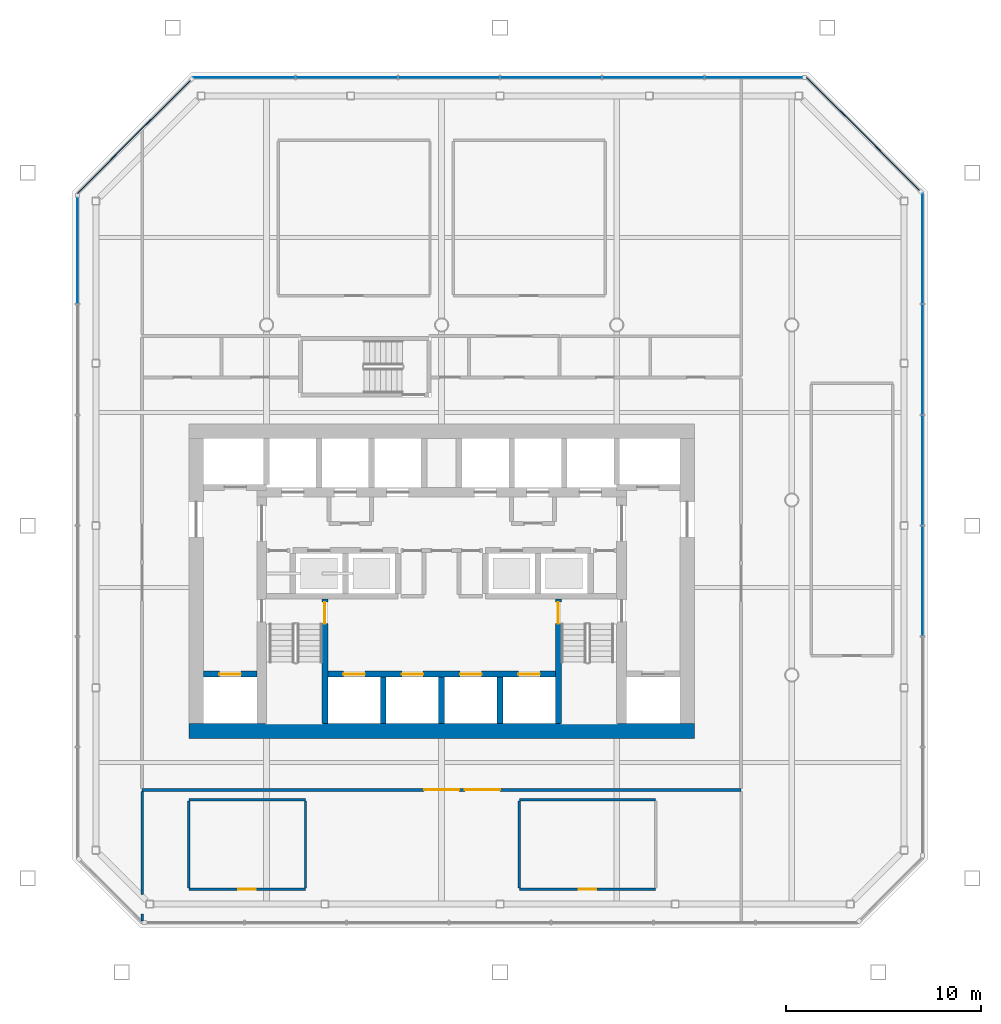
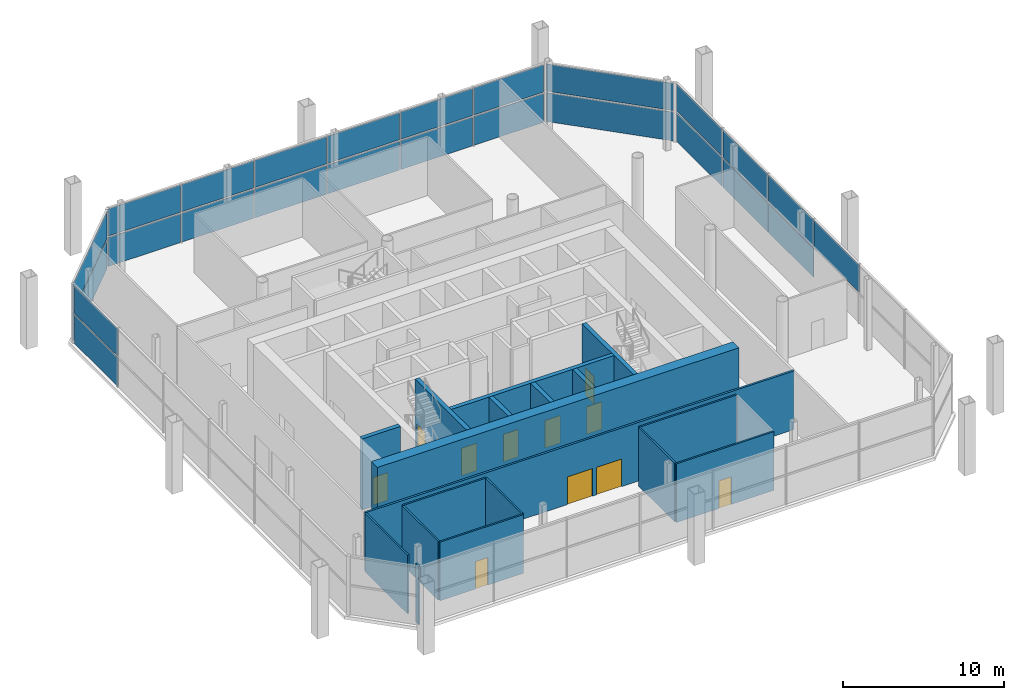
# One storey, part 7 of 12: 25 plates, 18 walls, 11 doors, 11 openings, 5 elements without a shape of their own.
"""IFC4 building model written with IfcOpenShell, lengths in metres."""

from ifc_helpers import new_model, si_unit, direction, frame, frame_2d, origin, origin_2d, place, context, subcontext, project, spatial, rectangle, extrude, material, layer, layer_set, type_object, element, fill, aggregate, save


model = new_model("IFC4")

# Units and contexts
model_context = context("Model", 3, precision=1e-05, world=origin(), true_north=direction((0.0, 1.0)))
body_context = subcontext(model_context, "Body", "Model", "MODEL_VIEW")
ifc_project = project(units=[si_unit("LENGTHUNIT", "METRE"), si_unit("AREAUNIT", "SQUARE_METRE"), si_unit("VOLUMEUNIT", "CUBIC_METRE"), si_unit("PLANEANGLEUNIT", "RADIAN"), si_unit("MASSUNIT", "GRAM", prefix="KILO")], contexts=[model_context])

# Site, building, storey
site_placement = place(None, origin())
site = spatial("IfcSite", under=ifc_project, at=site_placement, CompositionType="ELEMENT")
building_placement = place(site_placement, origin())
building = spatial("IfcBuilding", under=site, at=building_placement, Name="Tskaro Facet Tower", CompositionType="ELEMENT")
storey_placement = place(building_placement, frame((0.0, 0.0, 162.300048828125)))
storey = spatial("IfcBuildingStorey", under=building, at=storey_placement, Name="L40", CompositionType="ELEMENT", Elevation=162.300048828125)

# Curtain wall, plates
ifc_material_1 = material(Name="Bronze anodised aluminium 6063-T6", Category="aluminium")
curtain_wall_type = type_object("IfcCurtainWallType", Name="Bronze sky lobby curtain wall (FW4)", PredefinedType="NOTDEFINED", material=ifc_material_1)
curtain_wall_1_placement = place(storey_placement, origin())
curtain_wall_1 = element("IfcCurtainWall", 1, at=curtain_wall_1_placement, inside=storey, type_object=curtain_wall_type, Name="FW4 east facet L40", PredefinedType="NOTDEFINED")
ifc_material_2 = material(Name="Clear low-iron glass", Category="glass")
ifc_layer_1 = layer(ifc_material_2, 0.0380859375, Name="Clear low-iron glass")
ifc_layer_set_1 = layer_set([ifc_layer_1], Name="Clear low-iron glass")
plate_type = type_object("IfcPlateType", Name="FW4 bronze-tinted unit glazing 38", PredefinedType="CURTAIN_PANEL", material=ifc_layer_set_1)
plate_1_placement = place(storey_placement, frame((24.72412109375, -4.16162109375, 2.304931640625), z_axis=(0.0, 0.0, 1.0), x_axis=(0.0, 1.0, 0.0)))
plate_1 = element("IfcPlate", 2, at=plate_1_placement, type_object=plate_type, Name="FW4 east glazing 3.2", PredefinedType="CURTAIN_PANEL", context=body_context, shape_type="SweptSolid", body=[
    extrude(rectangle(XDim=5.612060546875, YDim=0.0380859375, at=origin_2d()), origin(), (0.0, 0.0, 1.0), 2.06494140625),
])
plate_2_placement = place(storey_placement, frame((24.72412109375, 1.530517578125, 0.0), z_axis=(0.0, 0.0, 1.0), x_axis=(0.0, 1.0, 0.0)))
plate_2 = element("IfcPlate", 3, at=plate_2_placement, type_object=plate_type, Name="FW4 east glazing 4.1", PredefinedType="CURTAIN_PANEL", context=body_context, shape_type="SweptSolid", body=[
    extrude(rectangle(XDim=5.612060546875, YDim=0.0380859375, at=origin_2d()), origin(), (0.0, 0.0, 1.0), 2.18505859375),
])
plate_3_placement = place(storey_placement, frame((24.72412109375, 1.530517578125, 2.304931640625), z_axis=(0.0, 0.0, 1.0), x_axis=(0.0, 1.0, 0.0)))
plate_3 = element("IfcPlate", 4, at=plate_3_placement, type_object=plate_type, Name="FW4 east glazing 4.2", PredefinedType="CURTAIN_PANEL", context=body_context, shape_type="SweptSolid", body=[
    extrude(rectangle(XDim=5.612060546875, YDim=0.0380859375, at=origin_2d()), origin(), (0.0, 0.0, 1.0), 2.06494140625),
])
plate_4_placement = place(storey_placement, frame((24.72412109375, 7.22265625, 0.0), z_axis=(0.0, 0.0, 1.0), x_axis=(0.0, 1.0, 0.0)))
plate_4 = element("IfcPlate", 5, at=plate_4_placement, type_object=plate_type, Name="FW4 east glazing 5.1", PredefinedType="CURTAIN_PANEL", context=body_context, shape_type="SweptSolid", body=[
    extrude(rectangle(XDim=5.612060546875, YDim=0.0380859375, at=origin_2d()), origin(), (0.0, 0.0, 1.0), 2.18505859375),
])
plate_5_placement = place(storey_placement, frame((24.72412109375, 7.22265625, 2.304931640625), z_axis=(0.0, 0.0, 1.0), x_axis=(0.0, 1.0, 0.0)))
plate_5 = element("IfcPlate", 6, at=plate_5_placement, type_object=plate_type, Name="FW4 east glazing 5.2", PredefinedType="CURTAIN_PANEL", context=body_context, shape_type="SweptSolid", body=[
    extrude(rectangle(XDim=5.612060546875, YDim=0.0380859375, at=origin_2d()), origin(), (0.0, 0.0, 1.0), 2.06494140625),
])
plate_6_placement = place(storey_placement, frame((24.72412109375, 12.934814453125, 0.0), z_axis=(0.0, 0.0, 1.0), x_axis=(0.0, 1.0, 0.0)))
plate_6 = element("IfcPlate", 7, at=plate_6_placement, type_object=plate_type, Name="FW4 east glazing 6.1", PredefinedType="CURTAIN_PANEL", context=body_context, shape_type="SweptSolid", body=[
    extrude(rectangle(XDim=5.652099609375, YDim=0.0380859375, at=origin_2d()), origin(), (0.0, 0.0, 1.0), 2.18505859375),
])
plate_7_placement = place(storey_placement, frame((24.72412109375, 12.934814453125, 2.304931640625), z_axis=(0.0, 0.0, 1.0), x_axis=(0.0, 1.0, 0.0)))
plate_7 = element("IfcPlate", 8, at=plate_7_placement, type_object=plate_type, Name="FW4 east glazing 6.2", PredefinedType="CURTAIN_PANEL", context=body_context, shape_type="SweptSolid", body=[
    extrude(rectangle(XDim=5.652099609375, YDim=0.0380859375, at=origin_2d()), origin(), (0.0, 0.0, 1.0), 2.06494140625),
])
aggregate(curtain_wall_1, [plate_1, plate_2, plate_3, plate_4, plate_5, plate_6, plate_7])

curtain_wall_2_placement = place(storey_placement, origin())
curtain_wall_2 = element("IfcCurtainWall", 9, at=curtain_wall_2_placement, inside=storey, type_object=curtain_wall_type, Name="FW4 north-east facet L40", PredefinedType="NOTDEFINED")
plate_8_placement = place(storey_placement, frame((21.664794921875, 18.8203125, 0.0), z_axis=(0.0, 0.0, 1.0), x_axis=(-0.707106781187, 0.707106781187, 0.0)))
plate_8 = element("IfcPlate", 10, at=plate_8_placement, type_object=plate_type, Name="FW4 north-east glazing 1.1", PredefinedType="CURTAIN_PANEL", context=body_context, shape_type="SweptSolid", body=[
    extrude(rectangle(XDim=8.212890625, YDim=0.0380859375, at=origin_2d()), origin(), (0.0, 0.0, 1.0), 2.18505859375),
])
plate_9_placement = place(storey_placement, frame((21.664794921875, 18.8203125, 2.304931640625), z_axis=(0.0, 0.0, 1.0), x_axis=(-0.707106781187, 0.707106781187, 0.0)))
plate_9 = element("IfcPlate", 11, at=plate_9_placement, type_object=plate_type, Name="FW4 north-east glazing 1.2", PredefinedType="CURTAIN_PANEL", context=body_context, shape_type="SweptSolid", body=[
    extrude(rectangle(XDim=8.212890625, YDim=0.0380859375, at=origin_2d()), origin(), (0.0, 0.0, 1.0), 2.06494140625),
])
aggregate(curtain_wall_2, [plate_8, plate_9])

curtain_wall_3_placement = place(storey_placement, origin())
curtain_wall_3 = element("IfcCurtainWall", 12, at=curtain_wall_3_placement, inside=storey, type_object=curtain_wall_type, Name="FW4 north facet L40", PredefinedType="NOTDEFINED")
plate_10_placement = place(storey_placement, frame((16.044189453125, 21.72412109375, 0.0), z_axis=(0.0, 0.0, 1.0), x_axis=(-1.0, 0.0, 0.0)))
plate_10 = element("IfcPlate", 13, at=plate_10_placement, type_object=plate_type, Name="FW4 north glazing 1.1", PredefinedType="CURTAIN_PANEL", context=body_context, shape_type="SweptSolid", body=[
    extrude(rectangle(XDim=4.99365234375, YDim=0.0380859375, at=origin_2d()), origin(), (0.0, 0.0, 1.0), 2.18505859375),
])
plate_11_placement = place(storey_placement, frame((16.044189453125, 21.72412109375, 2.304931640625), z_axis=(0.0, 0.0, 1.0), x_axis=(-1.0, 0.0, 0.0)))
plate_11 = element("IfcPlate", 14, at=plate_11_placement, type_object=plate_type, Name="FW4 north glazing 1.2", PredefinedType="CURTAIN_PANEL", context=body_context, shape_type="SweptSolid", body=[
    extrude(rectangle(XDim=4.99365234375, YDim=0.0380859375, at=origin_2d()), origin(), (0.0, 0.0, 1.0), 2.06494140625),
])
plate_12_placement = place(storey_placement, frame((10.880615234375, 21.72412109375, 0.0), z_axis=(0.0, 0.0, 1.0), x_axis=(-1.0, 0.0, 0.0)))
plate_12 = element("IfcPlate", 15, at=plate_12_placement, type_object=plate_type, Name="FW4 north glazing 2.1", PredefinedType="CURTAIN_PANEL", context=body_context, shape_type="SweptSolid", body=[
    extrude(rectangle(XDim=5.173583984375, YDim=0.0380859375, at=origin_2d()), origin(), (0.0, 0.0, 1.0), 2.18505859375),
])
plate_13_placement = place(storey_placement, frame((10.880615234375, 21.72412109375, 2.304931640625), z_axis=(0.0, 0.0, 1.0), x_axis=(-1.0, 0.0, 0.0)))
plate_13 = element("IfcPlate", 16, at=plate_13_placement, type_object=plate_type, Name="FW4 north glazing 2.2", PredefinedType="CURTAIN_PANEL", context=body_context, shape_type="SweptSolid", body=[
    extrude(rectangle(XDim=5.173583984375, YDim=0.0380859375, at=origin_2d()), origin(), (0.0, 0.0, 1.0), 2.06494140625),
])
plate_14_placement = place(storey_placement, frame((5.626953125, 21.72412109375, 0.0), z_axis=(0.0, 0.0, 1.0), x_axis=(-1.0, 0.0, 0.0)))
plate_14 = element("IfcPlate", 17, at=plate_14_placement, type_object=plate_type, Name="FW4 north glazing 3.1", PredefinedType="CURTAIN_PANEL", context=body_context, shape_type="SweptSolid", body=[
    extrude(rectangle(XDim=5.173583984375, YDim=0.0380859375, at=origin_2d()), origin(), (0.0, 0.0, 1.0), 2.18505859375),
])
plate_15_placement = place(storey_placement, frame((5.626953125, 21.72412109375, 2.304931640625), z_axis=(0.0, 0.0, 1.0), x_axis=(-1.0, 0.0, 0.0)))
plate_15 = element("IfcPlate", 18, at=plate_15_placement, type_object=plate_type, Name="FW4 north glazing 3.2", PredefinedType="CURTAIN_PANEL", context=body_context, shape_type="SweptSolid", body=[
    extrude(rectangle(XDim=5.173583984375, YDim=0.0380859375, at=origin_2d()), origin(), (0.0, 0.0, 1.0), 2.06494140625),
])
plate_16_placement = place(storey_placement, frame((0.373046875, 21.72412109375, 0.0), z_axis=(0.0, 0.0, 1.0), x_axis=(-1.0, 0.0, 0.0)))
plate_16 = element("IfcPlate", 19, at=plate_16_placement, type_object=plate_type, Name="FW4 north glazing 4.1", PredefinedType="CURTAIN_PANEL", context=body_context, shape_type="SweptSolid", body=[
    extrude(rectangle(XDim=5.173583984375, YDim=0.0380859375, at=origin_2d()), origin(), (0.0, 0.0, 1.0), 2.18505859375),
])
plate_17_placement = place(storey_placement, frame((0.373046875, 21.72412109375, 2.304931640625), z_axis=(0.0, 0.0, 1.0), x_axis=(-1.0, 0.0, 0.0)))
plate_17 = element("IfcPlate", 20, at=plate_17_placement, type_object=plate_type, Name="FW4 north glazing 4.2", PredefinedType="CURTAIN_PANEL", context=body_context, shape_type="SweptSolid", body=[
    extrude(rectangle(XDim=5.173583984375, YDim=0.0380859375, at=origin_2d()), origin(), (0.0, 0.0, 1.0), 2.06494140625),
])
plate_18_placement = place(storey_placement, frame((-4.880615234375, 21.72412109375, 0.0), z_axis=(0.0, 0.0, 1.0), x_axis=(-1.0, 0.0, 0.0)))
plate_18 = element("IfcPlate", 21, at=plate_18_placement, type_object=plate_type, Name="FW4 north glazing 5.1", PredefinedType="CURTAIN_PANEL", context=body_context, shape_type="SweptSolid", body=[
    extrude(rectangle(XDim=5.173583984375, YDim=0.0380859375, at=origin_2d()), origin(), (0.0, 0.0, 1.0), 2.18505859375),
])
plate_19_placement = place(storey_placement, frame((-4.880615234375, 21.72412109375, 2.304931640625), z_axis=(0.0, 0.0, 1.0), x_axis=(-1.0, 0.0, 0.0)))
plate_19 = element("IfcPlate", 22, at=plate_19_placement, type_object=plate_type, Name="FW4 north glazing 5.2", PredefinedType="CURTAIN_PANEL", context=body_context, shape_type="SweptSolid", body=[
    extrude(rectangle(XDim=5.173583984375, YDim=0.0380859375, at=origin_2d()), origin(), (0.0, 0.0, 1.0), 2.06494140625),
])
plate_20_placement = place(storey_placement, frame((-10.154052734375, 21.72412109375, 0.0), z_axis=(0.0, 0.0, 1.0), x_axis=(-1.0, 0.0, 0.0)))
plate_20 = element("IfcPlate", 23, at=plate_20_placement, type_object=plate_type, Name="FW4 north glazing 6.1", PredefinedType="CURTAIN_PANEL", context=body_context, shape_type="SweptSolid", body=[
    extrude(rectangle(XDim=5.213623046875, YDim=0.0380859375, at=origin_2d()), origin(), (0.0, 0.0, 1.0), 2.18505859375),
])
plate_21_placement = place(storey_placement, frame((-10.154052734375, 21.72412109375, 2.304931640625), z_axis=(0.0, 0.0, 1.0), x_axis=(-1.0, 0.0, 0.0)))
plate_21 = element("IfcPlate", 24, at=plate_21_placement, type_object=plate_type, Name="FW4 north glazing 6.2", PredefinedType="CURTAIN_PANEL", context=body_context, shape_type="SweptSolid", body=[
    extrude(rectangle(XDim=5.213623046875, YDim=0.0380859375, at=origin_2d()), origin(), (0.0, 0.0, 1.0), 2.06494140625),
])
aggregate(curtain_wall_3, [plate_10, plate_11, plate_12, plate_13, plate_14, plate_15, plate_16, plate_17, plate_18, plate_19, plate_20, plate_21])

curtain_wall_4_placement = place(storey_placement, origin())
curtain_wall_4 = element("IfcCurtainWall", 25, at=curtain_wall_4_placement, inside=storey, type_object=curtain_wall_type, Name="FW4 north-west facet L40", PredefinedType="NOTDEFINED")
plate_22_placement = place(storey_placement, frame((-15.8203125, 18.664794921875, 0.0), z_axis=(0.0, 0.0, 1.0), x_axis=(-0.707106781187, -0.707106781187, 0.0)))
plate_22 = element("IfcPlate", 26, at=plate_22_placement, type_object=plate_type, Name="FW4 north-west glazing 1.1", PredefinedType="CURTAIN_PANEL", context=body_context, shape_type="SweptSolid", body=[
    extrude(rectangle(XDim=8.212890625, YDim=0.0380859375, at=origin_2d()), origin(), (0.0, 0.0, 1.0), 2.18505859375),
])
plate_23_placement = place(storey_placement, frame((-15.8203125, 18.664794921875, 2.304931640625), z_axis=(0.0, 0.0, 1.0), x_axis=(-0.707106781187, -0.707106781187, 0.0)))
plate_23 = element("IfcPlate", 27, at=plate_23_placement, type_object=plate_type, Name="FW4 north-west glazing 1.2", PredefinedType="CURTAIN_PANEL", context=body_context, shape_type="SweptSolid", body=[
    extrude(rectangle(XDim=8.212890625, YDim=0.0380859375, at=origin_2d()), origin(), (0.0, 0.0, 1.0), 2.06494140625),
])
aggregate(curtain_wall_4, [plate_22, plate_23])

curtain_wall_5_placement = place(storey_placement, origin())
curtain_wall_5 = element("IfcCurtainWall", 28, at=curtain_wall_5_placement, inside=storey, type_object=curtain_wall_type, Name="FW4 west facet L40", PredefinedType="NOTDEFINED")
plate_24_placement = place(storey_placement, frame((-18.72412109375, 12.824951171875, 0.0), z_axis=(0.0, 0.0, 1.0), x_axis=(0.0, -1.0, 0.0)))
plate_24 = element("IfcPlate", 29, at=plate_24_placement, type_object=plate_type, Name="FW4 west glazing 1.1", PredefinedType="CURTAIN_PANEL", context=body_context, shape_type="SweptSolid", body=[
    extrude(rectangle(XDim=5.43212890625, YDim=0.0380859375, at=origin_2d()), origin(), (0.0, 0.0, 1.0), 2.18505859375),
])
plate_25_placement = place(storey_placement, frame((-18.72412109375, 12.824951171875, 2.304931640625), z_axis=(0.0, 0.0, 1.0), x_axis=(0.0, -1.0, 0.0)))
plate_25 = element("IfcPlate", 30, at=plate_25_placement, type_object=plate_type, Name="FW4 west glazing 1.2", PredefinedType="CURTAIN_PANEL", context=body_context, shape_type="SweptSolid", body=[
    extrude(rectangle(XDim=5.43212890625, YDim=0.0380859375, at=origin_2d()), origin(), (0.0, 0.0, 1.0), 2.06494140625),
])
aggregate(curtain_wall_5, [plate_24, plate_25])

# Wall, opening, door
ifc_material_3 = material(Name="Concrete C60/75", Category="concrete")
ifc_layer_2 = layer(ifc_material_3, 0.300048828125, Name="Concrete C60/75")
ifc_layer_set_2 = layer_set([ifc_layer_2], Name="Concrete C60/75")
wall_type_1 = type_object("IfcWallType", Name="CORE-SHAFT", PredefinedType="SHEAR", material=ifc_layer_set_2)
wall_1_placement = place(storey_placement, frame((-12.25, -8.949951171875, 0.0), z_axis=(0.0, 0.0, 1.0), x_axis=(1.0, 0.0, 0.0)))
wall_1 = element("IfcWall", 31, at=wall_1_placement, inside=storey, type_object=wall_type_1, Name="Shaft wall W006", PredefinedType="SHEAR", context=body_context, shape_type="SweptSolid", body=[
    extrude(rectangle(XDim=2.75, YDim=0.300048828125, at=frame_2d((1.375, 0.0))), origin(), (0.0, 0.0, 1.0), 5.39990234375),
])
opening_1_placement = place(wall_1_placement, frame((0.824951171875, 0.0, 0.0)))
opening_1 = element("IfcOpeningElement", 32, at=opening_1_placement, cuts=wall_1, Name="Opening LD-SHWS", PredefinedType="OPENING", context=body_context, shape_type="SweptSolid", body=[
    extrude(rectangle(XDim=1.10009765625, YDim=2.10009765625, at=frame_2d((0.550048828125, 1.050048828125))), frame((0.0, 0.159912109375, 0.0), z_axis=(0.0, -1.0, 0.0), x_axis=(1.0, 0.0, 0.0)), (0.0, 0.0, 1.0), 0.320068359375),
])
ifc_material_4 = material(Name="Stainless steel", Category="steel")
door_type_1 = type_object("IfcDoorType", Name="D-LANDING", OperationType="NOTDEFINED", PredefinedType="DOOR", material=ifc_material_4)
door_1_placement = place(opening_1_placement, origin())
door_1 = element("IfcDoor", 33, at=door_1_placement, inside=storey, type_object=door_type_1, Name="Landing door shuttle W1", OperationType="DOUBLE_DOOR_SLIDING", OverallHeight=2.10009765625, OverallWidth=1.10009765625, PredefinedType="DOOR", context=body_context, shape_type="SweptSolid", body=[
    extrude(rectangle(XDim=1.10009765625, YDim=2.10009765625, at=frame_2d((0.550048828125, 1.050048828125))), frame((0.0, 0.02490234375, 0.0), z_axis=(0.0, -1.0, 0.0), x_axis=(1.0, 0.0, 0.0)), (0.0, 0.0, 1.0), 0.050048828125),
])
fill(opening_1, door_1)

# Wall, openings, doors
wall_2_placement = place(storey_placement, frame((-5.85009765625, -8.949951171875, 0.0), z_axis=(0.0, 0.0, 1.0), x_axis=(1.0, 0.0, 0.0)))
wall_2 = element("IfcWall", 34, at=wall_2_placement, inside=storey, type_object=wall_type_1, Name="Shaft wall W007", PredefinedType="SHEAR", context=body_context, shape_type="SweptSolid", body=[
    extrude(rectangle(XDim=11.7001953125, YDim=0.300048828125, at=frame_2d((5.85009765625, 0.0))), origin(), (0.0, 0.0, 1.0), 5.39990234375),
])
opening_2_placement = place(wall_2_placement, frame((0.800048828125, 0.0, 0.0)))
opening_2 = element("IfcOpeningElement", 35, at=opening_2_placement, cuts=wall_2, Name="Opening LD-FF1", PredefinedType="OPENING", context=body_context, shape_type="SweptSolid", body=[
    extrude(rectangle(XDim=1.10009765625, YDim=2.10009765625, at=frame_2d((0.550048828125, 1.050048828125))), frame((0.0, 0.159912109375, 0.0), z_axis=(0.0, -1.0, 0.0), x_axis=(1.0, 0.0, 0.0)), (0.0, 0.0, 1.0), 0.320068359375),
])
opening_3_placement = place(wall_2_placement, frame((3.800048828125, 0.0, 0.0)))
opening_3 = element("IfcOpeningElement", 36, at=opening_3_placement, cuts=wall_2, Name="Opening LD-FF2", PredefinedType="OPENING", context=body_context, shape_type="SweptSolid", body=[
    extrude(rectangle(XDim=1.10009765625, YDim=2.10009765625, at=frame_2d((0.550048828125, 1.050048828125))), frame((0.0, 0.159912109375, 0.0), z_axis=(0.0, -1.0, 0.0), x_axis=(1.0, 0.0, 0.0)), (0.0, 0.0, 1.0), 0.320068359375),
])
opening_4_placement = place(wall_2_placement, frame((6.800048828125, 0.0, 0.0)))
opening_4 = element("IfcOpeningElement", 37, at=opening_4_placement, cuts=wall_2, Name="Opening LD-SV1", PredefinedType="OPENING", context=body_context, shape_type="SweptSolid", body=[
    extrude(rectangle(XDim=1.10009765625, YDim=2.10009765625, at=frame_2d((0.550048828125, 1.050048828125))), frame((0.0, 0.159912109375, 0.0), z_axis=(0.0, -1.0, 0.0), x_axis=(1.0, 0.0, 0.0)), (0.0, 0.0, 1.0), 0.320068359375),
])
opening_5_placement = place(wall_2_placement, frame((9.800048828125, 0.0, 0.0)))
opening_5 = element("IfcOpeningElement", 38, at=opening_5_placement, cuts=wall_2, Name="Opening LD-SV2", PredefinedType="OPENING", context=body_context, shape_type="SweptSolid", body=[
    extrude(rectangle(XDim=1.10009765625, YDim=2.10009765625, at=frame_2d((0.550048828125, 1.050048828125))), frame((0.0, 0.159912109375, 0.0), z_axis=(0.0, -1.0, 0.0), x_axis=(1.0, 0.0, 0.0)), (0.0, 0.0, 1.0), 0.320068359375),
])
door_2_placement = place(opening_2_placement, origin())
door_2 = element("IfcDoor", 39, at=door_2_placement, inside=storey, type_object=door_type_1, Name="Landing door FF1", OperationType="DOUBLE_DOOR_SLIDING", OverallHeight=2.10009765625, OverallWidth=1.10009765625, PredefinedType="DOOR", context=body_context, shape_type="SweptSolid", body=[
    extrude(rectangle(XDim=1.10009765625, YDim=2.10009765625, at=frame_2d((0.550048828125, 1.050048828125))), frame((0.0, 0.02490234375, 0.0), z_axis=(0.0, -1.0, 0.0), x_axis=(1.0, 0.0, 0.0)), (0.0, 0.0, 1.0), 0.050048828125),
])
fill(opening_2, door_2)
door_3_placement = place(opening_3_placement, origin())
door_3 = element("IfcDoor", 40, at=door_3_placement, inside=storey, type_object=door_type_1, Name="Landing door FF2", OperationType="DOUBLE_DOOR_SLIDING", OverallHeight=2.10009765625, OverallWidth=1.10009765625, PredefinedType="DOOR", context=body_context, shape_type="SweptSolid", body=[
    extrude(rectangle(XDim=1.10009765625, YDim=2.10009765625, at=frame_2d((0.550048828125, 1.050048828125))), frame((0.0, 0.02490234375, 0.0), z_axis=(0.0, -1.0, 0.0), x_axis=(1.0, 0.0, 0.0)), (0.0, 0.0, 1.0), 0.050048828125),
])
fill(opening_3, door_3)
door_4_placement = place(opening_4_placement, origin())
door_4 = element("IfcDoor", 41, at=door_4_placement, inside=storey, type_object=door_type_1, Name="Landing door SV1", OperationType="DOUBLE_DOOR_SLIDING", OverallHeight=2.10009765625, OverallWidth=1.10009765625, PredefinedType="DOOR", context=body_context, shape_type="SweptSolid", body=[
    extrude(rectangle(XDim=1.10009765625, YDim=2.10009765625, at=frame_2d((0.550048828125, 1.050048828125))), frame((0.0, 0.02490234375, 0.0), z_axis=(0.0, -1.0, 0.0), x_axis=(1.0, 0.0, 0.0)), (0.0, 0.0, 1.0), 0.050048828125),
])
fill(opening_4, door_4)
door_5_placement = place(opening_5_placement, origin())
door_5 = element("IfcDoor", 42, at=door_5_placement, inside=storey, type_object=door_type_1, Name="Landing door SV2", OperationType="DOUBLE_DOOR_SLIDING", OverallHeight=2.10009765625, OverallWidth=1.10009765625, PredefinedType="DOOR", context=body_context, shape_type="SweptSolid", body=[
    extrude(rectangle(XDim=1.10009765625, YDim=2.10009765625, at=frame_2d((0.550048828125, 1.050048828125))), frame((0.0, 0.02490234375, 0.0), z_axis=(0.0, -1.0, 0.0), x_axis=(1.0, 0.0, 0.0)), (0.0, 0.0, 1.0), 0.050048828125),
])
fill(opening_5, door_5)

# Wall, opening, door
wall_3_placement = place(storey_placement, frame((-6.0, -11.5, 0.0), z_axis=(0.0, 0.0, 1.0), x_axis=(0.0, 1.0, 0.0)))
wall_3 = element("IfcWall", 43, at=wall_3_placement, inside=storey, type_object=wall_type_1, Name="Shaft wall W047", PredefinedType="SHEAR", context=body_context, shape_type="SweptSolid", body=[
    extrude(rectangle(XDim=6.39990234375, YDim=0.300048828125, at=frame_2d((3.199951171875, 0.0))), origin(), (0.0, 0.0, 1.0), 5.39990234375),
])
opening_6_placement = place(wall_3_placement, frame((5.14990234375, 0.0, 0.0)))
opening_6 = element("IfcOpeningElement", 44, at=opening_6_placement, cuts=wall_3, Name="Opening ST-1-D1", PredefinedType="OPENING", context=body_context, shape_type="SweptSolid", body=[
    extrude(rectangle(XDim=1.10009765625, YDim=2.10009765625, at=frame_2d((0.550048828125, 1.050048828125))), frame((0.0, 0.159912109375, 0.0), z_axis=(0.0, -1.0, 0.0), x_axis=(1.0, 0.0, 0.0)), (0.0, 0.0, 1.0), 0.320068359375),
])
ifc_material_5 = material(Name="Steel", Category="steel")
door_type_2 = type_object("IfcDoorType", Name="D-STAIR", OperationType="NOTDEFINED", PredefinedType="DOOR", material=ifc_material_5)
door_6_placement = place(opening_6_placement, origin())
door_6 = element("IfcDoor", 45, at=door_6_placement, inside=storey, type_object=door_type_2, Name="Stair door 1", OperationType="SINGLE_SWING_LEFT", OverallHeight=2.10009765625, OverallWidth=1.10009765625, PredefinedType="DOOR", context=body_context, shape_type="SweptSolid", body=[
    extrude(rectangle(XDim=1.10009765625, YDim=2.10009765625, at=frame_2d((0.550048828125, 1.050048828125))), frame((0.0, 0.02490234375, 0.0), z_axis=(0.0, -1.0, 0.0), x_axis=(1.0, 0.0, 0.0)), (0.0, 0.0, 1.0), 0.050048828125),
])
fill(opening_6, door_6)

# Walls
for number, where, z_axis, x_axis, name in (
    (46, (-3.0, -11.5, 0.0), (0.0, 0.0, 1.0), (0.0, 1.0, 0.0), "Shaft wall W052"),
    (47, (0.0, -11.5, 0.0), (0.0, 0.0, 1.0), (0.0, 1.0, 0.0), "Shaft wall W058"),
    (48, (3.0, -11.5, 0.0), (0.0, 0.0, 1.0), (0.0, 1.0, 0.0), "Shaft wall W064"),
):
    element("IfcWall", number, at=place(storey_placement, frame(where, z_axis=z_axis, x_axis=x_axis)), inside=storey, type_object=wall_type_1, Name=name, PredefinedType="SHEAR", context=body_context, shape_type="SweptSolid", body=[
        extrude(rectangle(XDim=2.39990234375, YDim=0.300048828125, at=frame_2d((1.199951171875, 0.0))), origin(), (0.0, 0.0, 1.0), 5.39990234375),
    ])

# Wall, opening, door
wall_4_placement = place(storey_placement, frame((6.0, -5.10009765625, 0.0), z_axis=(0.0, 0.0, 1.0), x_axis=(0.0, -1.0, 0.0)))
wall_4 = element("IfcWall", 49, at=wall_4_placement, inside=storey, type_object=wall_type_1, Name="Shaft wall W070", PredefinedType="SHEAR", context=body_context, shape_type="SweptSolid", body=[
    extrude(rectangle(XDim=6.39990234375, YDim=0.300048828125, at=frame_2d((3.199951171875, 0.0))), origin(), (0.0, 0.0, 1.0), 5.39990234375),
])
opening_7_placement = place(wall_4_placement, frame((0.14990234375, 0.0, 0.0)))
opening_7 = element("IfcOpeningElement", 50, at=opening_7_placement, cuts=wall_4, Name="Opening ST-2-D1", PredefinedType="OPENING", context=body_context, shape_type="SweptSolid", body=[
    extrude(rectangle(XDim=1.10009765625, YDim=2.10009765625, at=frame_2d((0.550048828125, 1.050048828125))), frame((0.0, 0.159912109375, 0.0), z_axis=(0.0, -1.0, 0.0), x_axis=(1.0, 0.0, 0.0)), (0.0, 0.0, 1.0), 0.320068359375),
])
door_7_placement = place(opening_7_placement, origin())
door_7 = element("IfcDoor", 51, at=door_7_placement, inside=storey, type_object=door_type_2, Name="Stair door 2", OperationType="SINGLE_SWING_RIGHT", OverallHeight=2.10009765625, OverallWidth=1.10009765625, PredefinedType="DOOR", context=body_context, shape_type="SweptSolid", body=[
    extrude(rectangle(XDim=1.10009765625, YDim=2.10009765625, at=frame_2d((0.550048828125, 1.050048828125))), frame((0.0, 0.02490234375, 0.0), z_axis=(0.0, -1.0, 0.0), x_axis=(1.0, 0.0, 0.0)), (0.0, 0.0, 1.0), 0.050048828125),
])
fill(opening_7, door_7)

# Wall
ifc_material_6 = material(Name="Concrete C50/60", Category="concrete")
ifc_layer_3 = layer(ifc_material_6, 0.75, Name="Concrete C50/60")
ifc_layer_set_3 = layer_set([ifc_layer_3], Name="Concrete C50/60")
wall_type_2 = type_object("IfcWallType", Name="Core wall 750", PredefinedType="SHEAR", material=ifc_layer_set_3)
wall_5_placement = place(storey_placement, frame((-13.0, -11.875, 0.0), z_axis=(0.0, 0.0, 1.0), x_axis=(1.0, 0.0, 0.0)))
element("IfcWall", 52, at=wall_5_placement, inside=storey, type_object=wall_type_2, Name="Core wall CW-Z2S", PredefinedType="SHEAR", context=body_context, shape_type="SweptSolid", body=[
    extrude(rectangle(XDim=26.0, YDim=0.75, at=frame_2d((13.0, 0.0))), origin(), (0.0, 0.0, 1.0), 5.39990234375),
])

# Wall, opening, door
ifc_material_7 = material(Name="Gypsum board on steel studs", Category="steel")
ifc_layer_4 = layer(ifc_material_7, 0.125, Name="Gypsum board on steel studs")
ifc_layer_set_4 = layer_set([ifc_layer_4], Name="Gypsum board on steel studs")
wall_type_3 = type_object("IfcWallType", Name="PART", PredefinedType="PARTITIONING", material=ifc_layer_set_4)
wall_6_placement = place(storey_placement, frame((-13.0, -20.0, 0.0), z_axis=(0.0, 0.0, 1.0), x_axis=(1.0, 0.0, 0.0)))
wall_6 = element("IfcWall", 53, at=wall_6_placement, inside=storey, type_object=wall_type_3, Name="Partition W001", PredefinedType="PARTITIONING", context=body_context, shape_type="SweptSolid", body=[
    extrude(rectangle(XDim=6.0, YDim=0.125, at=frame_2d((3.0, 0.0))), origin(), (0.0, 0.0, 1.0), 4.4599609375),
])
opening_8_placement = place(wall_6_placement, frame((2.550048828125, 0.0, 0.0)))
opening_8 = element("IfcOpeningElement", 54, at=opening_8_placement, cuts=wall_6, Name="Opening S40-D01", PredefinedType="OPENING", context=body_context, shape_type="SweptSolid", body=[
    extrude(rectangle(XDim=0.89990234375, YDim=2.10009765625, at=frame_2d((0.449951171875, 1.050048828125))), frame((0.0, 0.072509765625, 0.0), z_axis=(0.0, -1.0, 0.0), x_axis=(1.0, 0.0, 0.0)), (0.0, 0.0, 1.0), 0.14501953125),
])
ifc_material_8 = material(Name="Timber", Category="wood")
door_type_3 = type_object("IfcDoorType", Name="D-ROOM", OperationType="NOTDEFINED", PredefinedType="DOOR", material=ifc_material_8)
door_8_placement = place(opening_8_placement, origin())
door_8 = element("IfcDoor", 55, at=door_8_placement, inside=storey, type_object=door_type_3, Name="Door S40-D01", OperationType="SINGLE_SWING_LEFT", OverallHeight=2.10009765625, OverallWidth=0.89990234375, PredefinedType="DOOR", context=body_context, shape_type="SweptSolid", body=[
    extrude(rectangle(XDim=0.89990234375, YDim=2.10009765625, at=frame_2d((0.449951171875, 1.050048828125))), frame((0.0, 0.02490234375, 0.0), z_axis=(0.0, -1.0, 0.0), x_axis=(1.0, 0.0, 0.0)), (0.0, 0.0, 1.0), 0.050048828125),
])
fill(opening_8, door_8)

wall_7_placement = place(storey_placement, frame((4.0, -20.0, 0.0), z_axis=(0.0, 0.0, 1.0), x_axis=(1.0, 0.0, 0.0)))
wall_7 = element("IfcWall", 56, at=wall_7_placement, inside=storey, type_object=wall_type_3, Name="Partition W002", PredefinedType="PARTITIONING", context=body_context, shape_type="SweptSolid", body=[
    extrude(rectangle(XDim=7.0, YDim=0.125, at=frame_2d((3.5, 0.0))), origin(), (0.0, 0.0, 1.0), 4.4599609375),
])
opening_9_placement = place(wall_7_placement, frame((3.050048828125, 0.0, 0.0)))
opening_9 = element("IfcOpeningElement", 57, at=opening_9_placement, cuts=wall_7, Name="Opening S40-D02", PredefinedType="OPENING", context=body_context, shape_type="SweptSolid", body=[
    extrude(rectangle(XDim=0.89990234375, YDim=2.10009765625, at=frame_2d((0.449951171875, 1.050048828125))), frame((0.0, 0.072509765625, 0.0), z_axis=(0.0, -1.0, 0.0), x_axis=(1.0, 0.0, 0.0)), (0.0, 0.0, 1.0), 0.14501953125),
])
door_9_placement = place(opening_9_placement, origin())
door_9 = element("IfcDoor", 58, at=door_9_placement, inside=storey, type_object=door_type_3, Name="Door S40-D02", OperationType="SINGLE_SWING_LEFT", OverallHeight=2.10009765625, OverallWidth=0.89990234375, PredefinedType="DOOR", context=body_context, shape_type="SweptSolid", body=[
    extrude(rectangle(XDim=0.89990234375, YDim=2.10009765625, at=frame_2d((0.449951171875, 1.050048828125))), frame((0.0, 0.02490234375, 0.0), z_axis=(0.0, -1.0, 0.0), x_axis=(1.0, 0.0, 0.0)), (0.0, 0.0, 1.0), 0.050048828125),
])
fill(opening_9, door_9)

# Walls
wall_8_placement = place(storey_placement, frame((-13.0, -15.39990234375, 0.0), z_axis=(0.0, 0.0, 1.0), x_axis=(1.0, 0.0, 0.0)))
element("IfcWall", 59, at=wall_8_placement, inside=storey, type_object=wall_type_3, Name="Partition W003", PredefinedType="PARTITIONING", context=body_context, shape_type="SweptSolid", body=[
    extrude(rectangle(XDim=6.0, YDim=0.125, at=frame_2d((3.0, 0.0))), origin(), (0.0, 0.0, 1.0), 4.4599609375),
])
wall_9_placement = place(storey_placement, frame((4.0, -15.39990234375, 0.0), z_axis=(0.0, 0.0, 1.0), x_axis=(1.0, 0.0, 0.0)))
element("IfcWall", 60, at=wall_9_placement, inside=storey, type_object=wall_type_3, Name="Partition W004", PredefinedType="PARTITIONING", context=body_context, shape_type="SweptSolid", body=[
    extrude(rectangle(XDim=7.0, YDim=0.125, at=frame_2d((3.5, 0.0))), origin(), (0.0, 0.0, 1.0), 4.4599609375),
])
wall_10_placement = place(storey_placement, frame((-15.39990234375, -21.64599609375, 0.0), z_axis=(0.0, 0.0, 1.0), x_axis=(0.0, 1.0, 0.0)))
element("IfcWall", 61, at=wall_10_placement, inside=storey, type_object=wall_type_3, Name="Partition W035", PredefinedType="PARTITIONING", context=body_context, shape_type="SweptSolid", body=[
    extrude(rectangle(XDim=0.3720703125, YDim=0.125, at=frame_2d((0.18603515625, 0.0))), origin(), (0.0, 0.0, 1.0), 4.4599609375),
])
wall_11_placement = place(storey_placement, frame((-15.39990234375, -20.27392578125, 0.0), z_axis=(0.0, 0.0, 1.0), x_axis=(0.0, 1.0, 0.0)))
element("IfcWall", 62, at=wall_11_placement, inside=storey, type_object=wall_type_3, Name="Partition W036", PredefinedType="PARTITIONING", context=body_context, shape_type="SweptSolid", body=[
    extrude(rectangle(XDim=5.298828125, YDim=0.125, at=frame_2d((2.6494140625, 0.0))), origin(), (0.0, 0.0, 1.0), 4.4599609375),
])
for number, where, z_axis, x_axis, name in (
    (63, (-13.0, -19.9375, 0.0), (0.0, 0.0, 1.0), (0.0, 1.0, 0.0), "Partition W039"),
    (64, (-7.0, -19.9375, 0.0), (0.0, 0.0, 1.0), (0.0, 1.0, 0.0), "Partition W045"),
    (65, (4.0, -19.9375, 0.0), (0.0, 0.0, 1.0), (0.0, 1.0, 0.0), "Partition W067"),
):
    element("IfcWall", number, at=place(storey_placement, frame(where, z_axis=z_axis, x_axis=x_axis)), inside=storey, type_object=wall_type_3, Name=name, PredefinedType="PARTITIONING", context=body_context, shape_type="SweptSolid", body=[
        extrude(rectangle(XDim=4.47509765625, YDim=0.125, at=frame_2d((2.237548828125, 0.0))), origin(), (0.0, 0.0, 1.0), 4.4599609375),
    ])

# Wall, openings, doors
ifc_layer_5 = layer(ifc_material_7, 0.14990234375, Name="Gypsum board on steel studs")
ifc_layer_set_5 = layer_set([ifc_layer_5], Name="Gypsum board on steel studs")
wall_type_4 = type_object("IfcWallType", Name="PART-CORR", PredefinedType="PARTITIONING", material=ifc_layer_set_5)
wall_12_placement = place(storey_placement, frame((-15.39990234375, -14.89990234375, 0.0), z_axis=(0.0, 0.0, 1.0), x_axis=(1.0, 0.0, 0.0)))
wall_12 = element("IfcWall", 66, at=wall_12_placement, inside=storey, type_object=wall_type_4, Name="Corridor wall W005", PredefinedType="PARTITIONING", context=body_context, shape_type="SweptSolid", body=[
    extrude(rectangle(XDim=30.7998046875, YDim=0.14990234375, at=frame_2d((15.39990234375, 0.0))), origin(), (0.0, 0.0, 1.0), 4.4599609375),
])
opening_10_placement = place(wall_12_placement, frame((14.5, 0.0, 0.0)))
opening_10 = element("IfcOpeningElement", 67, at=opening_10_placement, cuts=wall_12, Name="Opening S40-D03", PredefinedType="OPENING", context=body_context, shape_type="SweptSolid", body=[
    extrude(rectangle(XDim=1.800048828125, YDim=2.10009765625, at=frame_2d((0.89990234375, 1.050048828125))), frame((0.0, 0.0849609375, 0.0), z_axis=(0.0, -1.0, 0.0), x_axis=(1.0, 0.0, 0.0)), (0.0, 0.0, 1.0), 0.169921875),
])
opening_11_placement = place(wall_12_placement, frame((16.60009765625, 0.0, 0.0)))
opening_11 = element("IfcOpeningElement", 68, at=opening_11_placement, cuts=wall_12, Name="Opening S40-D04", PredefinedType="OPENING", context=body_context, shape_type="SweptSolid", body=[
    extrude(rectangle(XDim=1.800048828125, YDim=2.10009765625, at=frame_2d((0.89990234375, 1.050048828125))), frame((0.0, 0.0849609375, 0.0), z_axis=(0.0, -1.0, 0.0), x_axis=(1.0, 0.0, 0.0)), (0.0, 0.0, 1.0), 0.169921875),
])
ifc_material_9 = material(Name="Glass", Category="glass")
door_type_4 = type_object("IfcDoorType", Name="D-ENTRY-PAIR", OperationType="NOTDEFINED", PredefinedType="DOOR", material=ifc_material_9)
door_10_placement = place(opening_10_placement, origin())
door_10 = element("IfcDoor", 69, at=door_10_placement, inside=storey, type_object=door_type_4, Name="Door S40-D03", OperationType="DOUBLE_DOOR_SINGLE_SWING", OverallHeight=2.10009765625, OverallWidth=1.800048828125, PredefinedType="DOOR", context=body_context, shape_type="SweptSolid", body=[
    extrude(rectangle(XDim=1.800048828125, YDim=2.10009765625, at=frame_2d((0.89990234375, 1.050048828125))), frame((0.0, 0.02490234375, 0.0), z_axis=(0.0, -1.0, 0.0), x_axis=(1.0, 0.0, 0.0)), (0.0, 0.0, 1.0), 0.050048828125),
])
fill(opening_10, door_10)
door_11_placement = place(opening_11_placement, origin())
door_11 = element("IfcDoor", 70, at=door_11_placement, inside=storey, type_object=door_type_4, Name="Door S40-D04", OperationType="DOUBLE_DOOR_SINGLE_SWING", OverallHeight=2.10009765625, OverallWidth=1.800048828125, PredefinedType="DOOR", context=body_context, shape_type="SweptSolid", body=[
    extrude(rectangle(XDim=1.800048828125, YDim=2.10009765625, at=frame_2d((0.89990234375, 1.050048828125))), frame((0.0, 0.02490234375, 0.0), z_axis=(0.0, -1.0, 0.0), x_axis=(1.0, 0.0, 0.0)), (0.0, 0.0, 1.0), 0.050048828125),
])
fill(opening_11, door_11)

save(model, "model.ifc")
